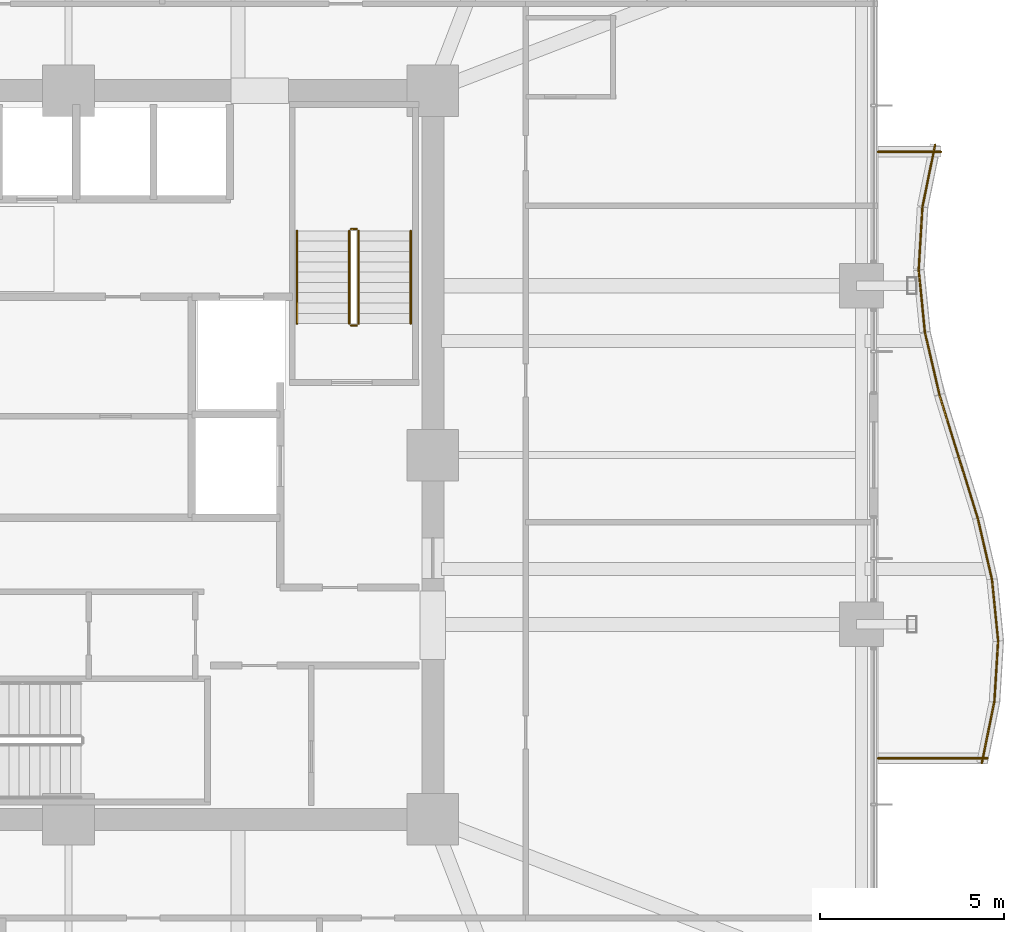
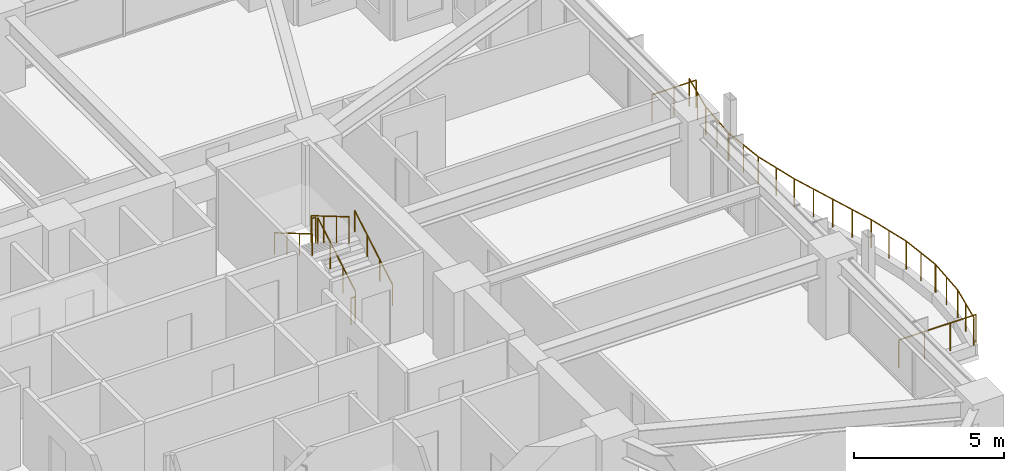
# One storey, part 36 of 36: 18 railings.
"""IFC4 building model written with IfcOpenShell, lengths in metres."""

from ifc_helpers import new_model, si_unit, direction, frame, origin, origin_2d, place, context, subcontext, project, spatial, circle, extrude, material, type_object, element, save


model = new_model("IFC4")

# Units and contexts
model_context = context("Model", 3, precision=1e-05, world=origin(), true_north=direction((0.0, 1.0)))
body_context = subcontext(model_context, "Body", "Model", "MODEL_VIEW")
ifc_project = project(units=[si_unit("LENGTHUNIT", "METRE"), si_unit("AREAUNIT", "SQUARE_METRE"), si_unit("VOLUMEUNIT", "CUBIC_METRE"), si_unit("PLANEANGLEUNIT", "RADIAN"), si_unit("MASSUNIT", "GRAM", prefix="KILO")], contexts=[model_context])

# Site, building, storey
site_placement = place(None, origin())
site = spatial("IfcSite", under=ifc_project, at=site_placement, CompositionType="ELEMENT")
building_placement = place(site_placement, origin())
building = spatial("IfcBuilding", under=site, at=building_placement, Name="Kolvaren Belvedere", CompositionType="ELEMENT")
storey_placement = place(building_placement, frame((0.0, 0.0, 46.89990234375)))
storey = spatial("IfcBuildingStorey", under=building, at=storey_placement, Name="L13", CompositionType="ELEMENT", Elevation=46.89990234375)

# Railings
ifc_material_1 = material(Name="Anodised pale-metal aluminium & laminated glass guard", Category="aluminium")
railing_type_1 = type_object("IfcRailingType", Name="RL-GUARD-1150", PredefinedType="GUARDRAIL", material=ifc_material_1)
railing_1_placement = place(storey_placement, frame((24.818115234375, -8.367919921875, 0.360107421875)))
element("IfcRailing", 1, at=railing_1_placement, inside=storey, type_object=railing_type_1, Name="L13 Exterior Deck Safety Guard BAL-E-1", PredefinedType="GUARDRAIL", context=body_context, shape_type="SweptSolid", body=[
    extrude(circle(Radius=0.02392578125, at=origin_2d()), frame((0.0, 0.0, 1.1259765625), z_axis=(0.199647526069, 0.979867779516, 0.0), x_axis=(-0.979867779516, 0.199647526069, 0.0)), (0.0, 0.0, 1.0), 1.71435546875),
    extrude(circle(Radius=0.02099609375, at=origin_2d()), origin(), (0.0, 0.0, 1.0), 1.101806640625),
    extrude(circle(Radius=0.02099609375, at=origin_2d()), frame((0.171142578125, 0.83984375, 0.0)), (0.0, 0.0, 1.0), 1.101806640625),
    extrude(circle(Radius=0.02099609375, at=origin_2d()), frame((0.34228515625, 1.679931640625, 0.0)), (0.0, 0.0, 1.0), 1.101806640625),
])
railing_2_placement = place(storey_placement, frame((25.157470703125, -6.710205078125, 0.360107421875)))
element("IfcRailing", 2, at=railing_2_placement, inside=storey, type_object=railing_type_1, Name="L13 Exterior Deck Safety Guard BAL-E-2", PredefinedType="GUARDRAIL", context=body_context, shape_type="SweptSolid", body=[
    extrude(circle(Radius=0.02392578125, at=origin_2d()), frame((0.0, 0.0, 1.1259765625), z_axis=(0.061068773295, 0.998133560666, 0.0), x_axis=(-0.998133560666, 0.061068773295, 0.0)), (0.0, 0.0, 1.0), 1.68310546875),
    extrude(circle(Radius=0.02099609375, at=origin_2d()), origin(), (0.0, 0.0, 1.0), 1.101806640625),
    extrude(circle(Radius=0.02099609375, at=origin_2d()), frame((0.05126953125, 0.83984375, 0.0)), (0.0, 0.0, 1.0), 1.101806640625),
    extrude(circle(Radius=0.02099609375, at=origin_2d()), frame((0.102783203125, 1.679931640625, 0.0)), (0.0, 0.0, 1.0), 1.101806640625),
])
railing_3_placement = place(storey_placement, frame((25.2607421875, -5.055908203125, 0.360107421875)))
element("IfcRailing", 3, at=railing_3_placement, inside=storey, type_object=railing_type_1, Name="L13 Exterior Deck Safety Guard BAL-E-3", PredefinedType="GUARDRAIL", context=body_context, shape_type="SweptSolid", body=[
    extrude(circle(Radius=0.02392578125, at=origin_2d()), frame((0.0, 0.0, 1.1259765625), z_axis=(-0.099489401517, 0.995038621856, 0.0), x_axis=(-0.995038621856, -0.099489401517, 0.0)), (0.0, 0.0, 1.0), 1.688232421875),
    extrude(circle(Radius=0.02099609375, at=origin_2d()), origin(), (0.0, 0.0, 1.0), 1.101806640625),
    extrude(circle(Radius=0.02099609375, at=origin_2d()), frame((-0.083984375, 0.83984375, 0.0)), (0.0, 0.0, 1.0), 1.101806640625),
    extrude(circle(Radius=0.02099609375, at=origin_2d()), frame((-0.16796875, 1.679931640625, 0.0)), (0.0, 0.0, 1.0), 1.101806640625),
])
railing_4_placement = place(storey_placement, frame((25.09619140625, -3.396240234375, 0.360107421875)))
element("IfcRailing", 4, at=railing_4_placement, inside=storey, type_object=railing_type_1, Name="L13 Exterior Deck Safety Guard BAL-E-4", PredefinedType="GUARDRAIL", context=body_context, shape_type="SweptSolid", body=[
    extrude(circle(Radius=0.02392578125, at=origin_2d()), frame((0.0, 0.0, 1.1259765625), z_axis=(-0.227019323824, 0.973890253884, 0.0), x_axis=(-0.973890253884, -0.227019323824, 0.0)), (0.0, 0.0, 1.0), 1.724853515625),
    extrude(circle(Radius=0.02099609375, at=origin_2d()), origin(), (0.0, 0.0, 1.0), 1.101806640625),
    extrude(circle(Radius=0.02099609375, at=origin_2d()), frame((-0.19580078125, 0.83984375, 0.0)), (0.0, 0.0, 1.0), 1.101806640625),
    extrude(circle(Radius=0.02099609375, at=origin_2d()), frame((-0.3916015625, 1.679931640625, 0.0)), (0.0, 0.0, 1.0), 1.101806640625),
])
railing_5_placement = place(storey_placement, frame((24.70751953125, -1.727294921875, 0.360107421875)))
element("IfcRailing", 5, at=railing_5_placement, inside=storey, type_object=railing_type_1, Name="L13 Exterior Deck Safety Guard BAL-E-5", PredefinedType="GUARDRAIL", context=body_context, shape_type="SweptSolid", body=[
    extrude(circle(Radius=0.02392578125, at=origin_2d()), frame((0.0, 0.0, 1.1259765625), z_axis=(-0.295831524561, 0.95524013163, 0.0), x_axis=(-0.95524013163, -0.295831524561, 0.0)), (0.0, 0.0, 1.0), 1.758544921875),
    extrude(circle(Radius=0.02099609375, at=origin_2d()), origin(), (0.0, 0.0, 1.0), 1.101806640625),
    extrude(circle(Radius=0.02099609375, at=origin_2d()), frame((-0.26025390625, 0.83984375, 0.0)), (0.0, 0.0, 1.0), 1.101806640625),
    extrude(circle(Radius=0.02099609375, at=origin_2d()), frame((-0.520263671875, 1.679931640625, 0.0)), (0.0, 0.0, 1.0), 1.101806640625),
])
railing_6_placement = place(storey_placement, frame((24.187255859375, -0.04736328125, 0.360107421875)))
element("IfcRailing", 6, at=railing_6_placement, inside=storey, type_object=railing_type_1, Name="L13 Exterior Deck Safety Guard BAL-E-6", PredefinedType="GUARDRAIL", context=body_context, shape_type="SweptSolid", body=[
    extrude(circle(Radius=0.02392578125, at=origin_2d()), frame((0.0, 0.0, 1.1259765625), z_axis=(-0.29579229954, 0.955252278476, 0.0), x_axis=(-0.955252278476, -0.29579229954, 0.0)), (0.0, 0.0, 1.0), 1.7587890625),
    extrude(circle(Radius=0.02099609375, at=origin_2d()), origin(), (0.0, 0.0, 1.0), 1.101806640625),
    extrude(circle(Radius=0.02099609375, at=origin_2d()), frame((-0.26025390625, 0.840087890625, 0.0)), (0.0, 0.0, 1.0), 1.101806640625),
    extrude(circle(Radius=0.02099609375, at=origin_2d()), frame((-0.520263671875, 1.68017578125, 0.0)), (0.0, 0.0, 1.0), 1.101806640625),
])
railing_7_placement = place(storey_placement, frame((23.663818359375, 1.643798828125, 0.360107421875)))
element("IfcRailing", 7, at=railing_7_placement, inside=storey, type_object=railing_type_1, Name="L13 Exterior Deck Safety Guard BAL-E-7", PredefinedType="GUARDRAIL", context=body_context, shape_type="SweptSolid", body=[
    extrude(circle(Radius=0.02392578125, at=origin_2d()), frame((0.0, 0.0, 1.1259765625), z_axis=(-0.227019323824, 0.973890253884, 0.0), x_axis=(-0.973890253884, -0.227019323824, 0.0)), (0.0, 0.0, 1.0), 1.724853515625),
    extrude(circle(Radius=0.02099609375, at=origin_2d()), origin(), (0.0, 0.0, 1.0), 1.101806640625),
    extrude(circle(Radius=0.02099609375, at=origin_2d()), frame((-0.19580078125, 0.83984375, 0.0)), (0.0, 0.0, 1.0), 1.101806640625),
    extrude(circle(Radius=0.02099609375, at=origin_2d()), frame((-0.3916015625, 1.679931640625, 0.0)), (0.0, 0.0, 1.0), 1.101806640625),
])
railing_8_placement = place(storey_placement, frame((23.268798828125, 3.34423828125, 0.360107421875)))
element("IfcRailing", 8, at=railing_8_placement, inside=storey, type_object=railing_type_1, Name="L13 Exterior Deck Safety Guard BAL-E-8", PredefinedType="GUARDRAIL", context=body_context, shape_type="SweptSolid", body=[
    extrude(circle(Radius=0.02392578125, at=origin_2d()), frame((0.0, 0.0, 1.1259765625), z_axis=(-0.098329649867, 0.995153897624, 0.0), x_axis=(-0.995153897624, -0.098329649867, 0.0)), (0.0, 0.0, 1.0), 1.6884765625),
    extrude(circle(Radius=0.02099609375, at=origin_2d()), origin(), (0.0, 0.0, 1.0), 1.101806640625),
    extrude(circle(Radius=0.02099609375, at=origin_2d()), frame((-0.0830078125, 0.840087890625, 0.0)), (0.0, 0.0, 1.0), 1.101806640625),
    extrude(circle(Radius=0.02099609375, at=origin_2d()), frame((-0.166015625, 1.68017578125, 0.0)), (0.0, 0.0, 1.0), 1.101806640625),
])
railing_9_placement = place(storey_placement, frame((23.102294921875, 5.049560546875, 0.360107421875)))
element("IfcRailing", 9, at=railing_9_placement, inside=storey, type_object=railing_type_1, Name="L13 Exterior Deck Safety Guard BAL-E-9", PredefinedType="GUARDRAIL", context=body_context, shape_type="SweptSolid", body=[
    extrude(circle(Radius=0.02392578125, at=origin_2d()), frame((0.0, 0.0, 1.1259765625), z_axis=(0.059912527196, 0.998203631072, 0.0), x_axis=(-0.998203631072, 0.059912527196, 0.0)), (0.0, 0.0, 1.0), 1.682861328125),
    extrude(circle(Radius=0.02099609375, at=origin_2d()), origin(), (0.0, 0.0, 1.0), 1.101806640625),
    extrude(circle(Radius=0.02099609375, at=origin_2d()), frame((0.05029296875, 0.83984375, 0.0)), (0.0, 0.0, 1.0), 1.101806640625),
    extrude(circle(Radius=0.02099609375, at=origin_2d()), frame((0.100830078125, 1.679931640625, 0.0)), (0.0, 0.0, 1.0), 1.101806640625),
])
railing_10_placement = place(storey_placement, frame((23.2060546875, 6.751953125, 0.360107421875)))
element("IfcRailing", 10, at=railing_10_placement, inside=storey, type_object=railing_type_1, Name="L13 Exterior Deck Safety Guard BAL-E-10", PredefinedType="GUARDRAIL", context=body_context, shape_type="SweptSolid", body=[
    extrude(circle(Radius=0.02392578125, at=origin_2d()), frame((0.0, 0.0, 1.1259765625), z_axis=(0.199647526069, 0.979867779516, 0.0), x_axis=(-0.979867779516, 0.199647526069, 0.0)), (0.0, 0.0, 1.0), 1.71435546875),
    extrude(circle(Radius=0.02099609375, at=origin_2d()), origin(), (0.0, 0.0, 1.0), 1.101806640625),
    extrude(circle(Radius=0.02099609375, at=origin_2d()), frame((0.171142578125, 0.83984375, 0.0)), (0.0, 0.0, 1.0), 1.101806640625),
    extrude(circle(Radius=0.02099609375, at=origin_2d()), frame((0.34228515625, 1.679931640625, 0.0)), (0.0, 0.0, 1.0), 1.101806640625),
])
railing_11_placement = place(storey_placement, frame((23.705078125, 8.239990234375, 0.360107421875)))
element("IfcRailing", 11, at=railing_11_placement, inside=storey, type_object=railing_type_1, Name="L13 Exterior Deck Safety Guard BAL-E-11", PredefinedType="GUARDRAIL", context=body_context, shape_type="SweptSolid", body=[
    extrude(circle(Radius=0.02392578125, at=origin_2d()), frame((0.0, 0.0, 1.1259765625), z_axis=(-1.0, 0.0, 0.0), x_axis=(0.0, -1.0, 0.0)), (0.0, 0.0, 1.0), 1.705078125),
    extrude(circle(Radius=0.02099609375, at=origin_2d()), origin(), (0.0, 0.0, 1.0), 1.101806640625),
    extrude(circle(Radius=0.02099609375, at=origin_2d()), frame((-0.8525390625, 0.0, 0.0)), (0.0, 0.0, 1.0), 1.101806640625),
    extrude(circle(Radius=0.02099609375, at=origin_2d()), frame((-1.705078125, 0.0, 0.0)), (0.0, 0.0, 1.0), 1.101806640625),
])
railing_12_placement = place(storey_placement, frame((22.0, -8.239990234375, 0.360107421875)))
element("IfcRailing", 12, at=railing_12_placement, inside=storey, type_object=railing_type_1, Name="L13 Exterior Deck Safety Guard BAL-E-22", PredefinedType="GUARDRAIL", context=body_context, shape_type="SweptSolid", body=[
    extrude(circle(Radius=0.02392578125, at=origin_2d()), frame((0.0, 0.0, 1.1259765625), z_axis=(1.0, 0.0, 0.0), x_axis=(0.0, 1.0, 0.0)), (0.0, 0.0, 1.0), 2.974853515625),
    extrude(circle(Radius=0.02099609375, at=origin_2d()), origin(), (0.0, 0.0, 1.0), 1.101806640625),
    extrude(circle(Radius=0.02099609375, at=origin_2d()), frame((0.99169921875, 0.0, 0.0)), (0.0, 0.0, 1.0), 1.101806640625),
    extrude(circle(Radius=0.02099609375, at=origin_2d()), frame((1.983154296875, 0.0, 0.0)), (0.0, 0.0, 1.0), 1.101806640625),
    extrude(circle(Radius=0.02099609375, at=origin_2d()), frame((2.974853515625, 0.0, 0.0)), (0.0, 0.0, 1.0), 1.101806640625),
])
ifc_material_2 = material(Name="Brushed stainless-steel handrail", Category="steel")
railing_type_2 = type_object("IfcRailingType", Name="RL-HANDRAIL-920", PredefinedType="HANDRAIL", material=ifc_material_2)
railing_13_placement = place(storey_placement, frame((9.300048828125, 3.570068359375, 0.1650390625)))
element("IfcRailing", 13, at=railing_13_placement, inside=storey, type_object=railing_type_2, Name="L13 ST-2 stair handrail 1", PredefinedType="HANDRAIL", context=body_context, shape_type="SweptSolid", body=[
    extrude(circle(Radius=0.02392578125, at=origin_2d()), frame((0.0, 0.0, 0.8759765625), z_axis=(0.0, 0.86152411907, 0.507716645641), x_axis=(-1.0, 0.0, 0.0)), (0.0, 0.0, 1.0), 2.925048828125),
    extrude(circle(Radius=0.02099609375, at=origin_2d()), origin(), (0.0, 0.0, 1.0), 0.851806640625),
    extrude(circle(Radius=0.02099609375, at=origin_2d()), frame((0.0, 0.840087890625, 0.4951171875)), (0.0, 0.0, 1.0), 0.851806640625),
    extrude(circle(Radius=0.02099609375, at=origin_2d()), frame((0.0, 1.679931640625, 0.989990234375)), (0.0, 0.0, 1.0), 0.851806640625),
    extrude(circle(Radius=0.02099609375, at=origin_2d()), frame((0.0, 2.52001953125, 1.485107421875)), (0.0, 0.0, 1.0), 0.851806640625),
])
railing_14_placement = place(storey_placement, frame((6.2099609375, 6.090087890625, 1.815185546875)))
element("IfcRailing", 14, at=railing_14_placement, inside=storey, type_object=railing_type_2, Name="L13 ST-2 stair handrail 2", PredefinedType="HANDRAIL", context=body_context, shape_type="SweptSolid", body=[
    extrude(circle(Radius=0.02392578125, at=origin_2d()), frame((0.0, 0.0, 0.8759765625), z_axis=(0.0, -0.861560626758, 0.507654692109), x_axis=(1.0, 0.0, 0.0)), (0.0, 0.0, 1.0), 2.925048828125),
    extrude(circle(Radius=0.02099609375, at=origin_2d()), origin(), (0.0, 0.0, 1.0), 0.851806640625),
    extrude(circle(Radius=0.02099609375, at=origin_2d()), frame((0.0, -0.840087890625, 0.494873046875)), (0.0, 0.0, 1.0), 0.851806640625),
    extrude(circle(Radius=0.02099609375, at=origin_2d()), frame((0.0, -1.679931640625, 0.989990234375)), (0.0, 0.0, 1.0), 0.851806640625),
    extrude(circle(Radius=0.02099609375, at=origin_2d()), frame((0.0, -2.52001953125, 1.48486328125)), (0.0, 0.0, 1.0), 0.851806640625),
])
ifc_material_3 = material(Name="Painted tubular steel stair guard", Category="steel")
railing_type_3 = type_object("IfcRailingType", Name="RL-STGUARD-1100", PredefinedType="GUARDRAIL", material=ifc_material_3)
railing_15_placement = place(storey_placement, frame((7.8798828125, 3.570068359375, 0.1650390625)))
element("IfcRailing", 15, at=railing_15_placement, inside=storey, type_object=railing_type_3, Name="L13 ST-2 stair guard 1", PredefinedType="GUARDRAIL", context=body_context, shape_type="SweptSolid", body=[
    extrude(circle(Radius=0.02392578125, at=origin_2d()), frame((0.0, 0.0, 1.076171875), z_axis=(0.0, 0.86152411907, 0.507716645641), x_axis=(-1.0, 0.0, 0.0)), (0.0, 0.0, 1.0), 2.925048828125),
    extrude(circle(Radius=0.02099609375, at=origin_2d()), origin(), (0.0, 0.0, 1.0), 1.052001953125),
    extrude(circle(Radius=0.02099609375, at=origin_2d()), frame((0.0, 0.840087890625, 0.4951171875)), (0.0, 0.0, 1.0), 1.052001953125),
    extrude(circle(Radius=0.02099609375, at=origin_2d()), frame((0.0, 1.679931640625, 0.989990234375)), (0.0, 0.0, 1.0), 1.052001953125),
    extrude(circle(Radius=0.02099609375, at=origin_2d()), frame((0.0, 2.52001953125, 1.485107421875)), (0.0, 0.0, 1.0), 1.052001953125),
])
railing_16_placement = place(storey_placement, frame((7.830078125, 6.139892578125, 1.650146484375)))
element("IfcRailing", 16, at=railing_16_placement, inside=storey, type_object=railing_type_3, Name="L13 ST-2 stair guard 2", PredefinedType="GUARDRAIL", context=body_context, shape_type="SweptSolid", body=[
    extrude(circle(Radius=0.02392578125, at=origin_2d()), frame((0.0, 0.0, 1.076171875), z_axis=(-1.0, 0.0, 0.0), x_axis=(0.0, -1.0, 0.0)), (0.0, 0.0, 1.0), 0.150146484375),
    extrude(circle(Radius=0.02099609375, at=origin_2d()), origin(), (0.0, 0.0, 1.0), 1.052001953125),
    extrude(circle(Radius=0.02099609375, at=origin_2d()), frame((-0.150146484375, 0.0, 0.0)), (0.0, 0.0, 1.0), 1.052001953125),
])
railing_17_placement = place(storey_placement, frame((7.6298828125, 6.090087890625, 1.815185546875)))
element("IfcRailing", 17, at=railing_17_placement, inside=storey, type_object=railing_type_3, Name="L13 ST-2 stair guard 3", PredefinedType="GUARDRAIL", context=body_context, shape_type="SweptSolid", body=[
    extrude(circle(Radius=0.02392578125, at=origin_2d()), frame((0.0, 0.0, 1.076171875), z_axis=(0.0, -0.861560626758, 0.507654692109), x_axis=(1.0, 0.0, 0.0)), (0.0, 0.0, 1.0), 2.925048828125),
    extrude(circle(Radius=0.02099609375, at=origin_2d()), origin(), (0.0, 0.0, 1.0), 1.052001953125),
    extrude(circle(Radius=0.02099609375, at=origin_2d()), frame((0.0, -0.840087890625, 0.494873046875)), (0.0, 0.0, 1.0), 1.052001953125),
    extrude(circle(Radius=0.02099609375, at=origin_2d()), frame((0.0, -1.679931640625, 0.989990234375)), (0.0, 0.0, 1.0), 1.052001953125),
    extrude(circle(Radius=0.02099609375, at=origin_2d()), frame((0.0, -2.52001953125, 1.48486328125)), (0.0, 0.0, 1.0), 1.052001953125),
])
railing_18_placement = place(storey_placement, frame((7.830078125, 3.52001953125, 0.0)))
element("IfcRailing", 18, at=railing_18_placement, inside=storey, type_object=railing_type_3, Name="L13 ST-2 stair guard 4", PredefinedType="GUARDRAIL", context=body_context, shape_type="SweptSolid", body=[
    extrude(circle(Radius=0.02392578125, at=origin_2d()), frame((0.0, 0.0, 1.076171875), z_axis=(-1.0, 0.0, 0.0), x_axis=(0.0, -1.0, 0.0)), (0.0, 0.0, 1.0), 0.150146484375),
    extrude(circle(Radius=0.02099609375, at=origin_2d()), origin(), (0.0, 0.0, 1.0), 1.052001953125),
    extrude(circle(Radius=0.02099609375, at=origin_2d()), frame((-0.150146484375, 0.0, 0.0)), (0.0, 0.0, 1.0), 1.052001953125),
])

save(model, "model.ifc")
